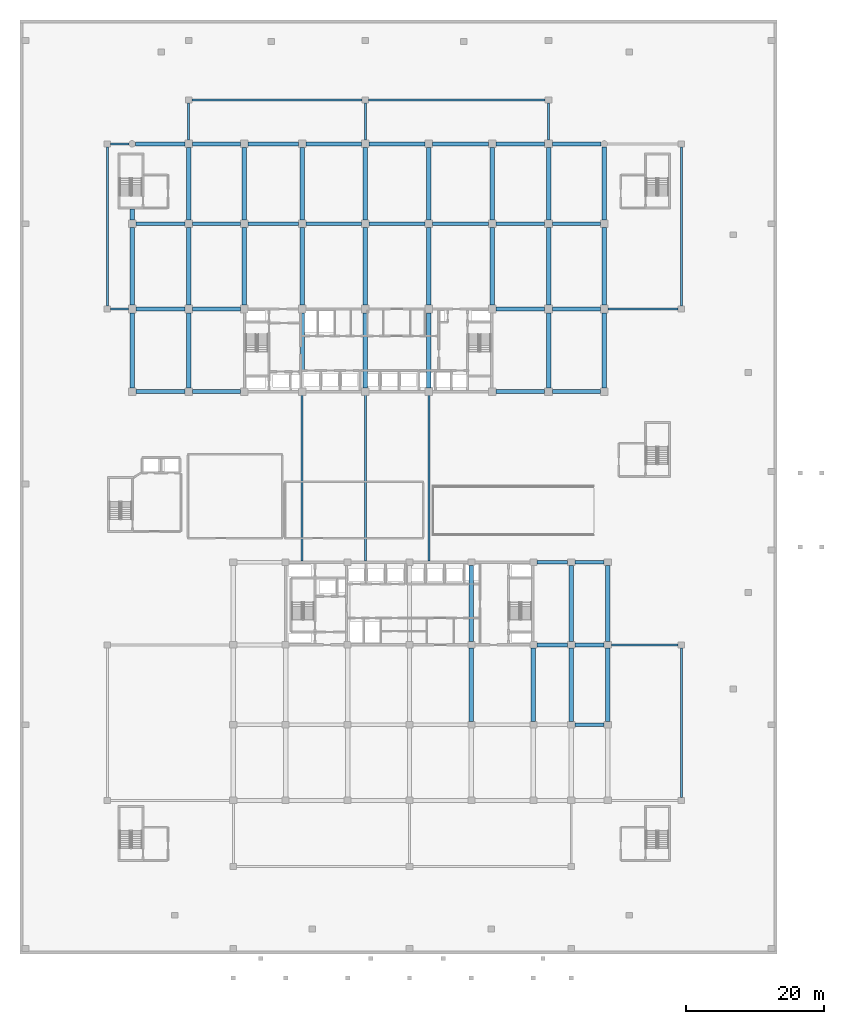
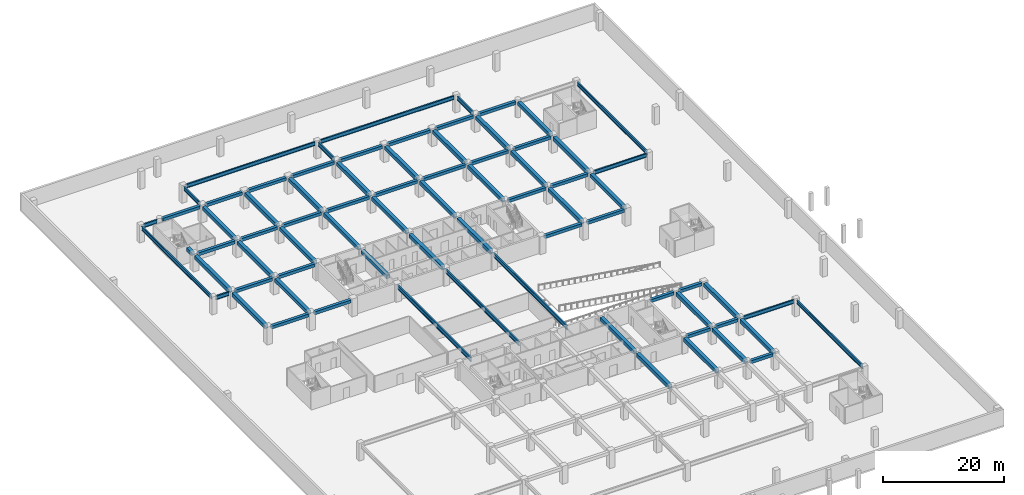
# One storey, part 2 of 22: 76 beams.
"""IFC4 building model written with IfcOpenShell, lengths in metres."""

from ifc_helpers import new_model, si_unit, direction, frame, origin, origin_2d, place, context, subcontext, project, spatial, rectangle, i_section, extrude, material, material_profile, profile_set, type_object, element, save


model = new_model("IFC4")

# Units and contexts
model_context = context("Model", 3, precision=1e-05, world=origin(), true_north=direction((0.0, 1.0)))
body_context = subcontext(model_context, "Body", "Model", "MODEL_VIEW")
ifc_project = project(units=[si_unit("LENGTHUNIT", "METRE"), si_unit("AREAUNIT", "SQUARE_METRE"), si_unit("VOLUMEUNIT", "CUBIC_METRE"), si_unit("PLANEANGLEUNIT", "RADIAN"), si_unit("MASSUNIT", "GRAM", prefix="KILO")], contexts=[model_context])

# Site, building, storey
site_placement = place(None, origin())
site = spatial("IfcSite", under=ifc_project, at=site_placement, CompositionType="ELEMENT")
building_placement = place(site_placement, origin())
building = spatial("IfcBuilding", under=site, at=building_placement, Name="Korimba Cascade Residences", CompositionType="ELEMENT")
storey_placement = place(building_placement, frame((0.0, 0.0, -7.199951171875)))
storey = spatial("IfcBuildingStorey", under=building, at=storey_placement, Name="B02", CompositionType="ELEMENT", Elevation=-7.199951171875)

# Beams
ifc_material_1 = material(Name="Concrete C50/60", Category="concrete")
ifc_material_profile_1 = material_profile(ifc_material_1, rectangle(XDim=0.550048828125, YDim=0.60009765625, at=origin_2d()), Name="Concrete C50/60")
ifc_profile_set_1 = profile_set([ifc_material_profile_1], Name="Concrete C50/60")
beam_type_1 = type_object("IfcBeamType", Name="BM-RC-B600", PredefinedType="BEAM", material=ifc_profile_set_1)
beam_1_placement = place(storey_placement, frame((60.35009765625, 55.199951171875, 3.0), z_axis=(1.0, 0.0, 0.0), x_axis=(0.0, 1.0, 0.0)))
element("IfcBeam", 1, at=beam_1_placement, inside=storey, type_object=beam_type_1, Name="B02 T1 E-W Girder Y1 Bay 1", PredefinedType="BEAM", context=body_context, shape_type="SweptSolid", body=[
    extrude(rectangle(XDim=0.550048828125, YDim=0.60009765625, at=origin_2d()), origin(), (0.0, 0.0, 1.0), 7.099853515625),
])
beam_2_placement = place(storey_placement, frame((68.550048828125, 55.199951171875, 3.0), z_axis=(1.0, 0.0, 0.0), x_axis=(0.0, 1.0, 0.0)))
element("IfcBeam", 2, at=beam_2_placement, inside=storey, type_object=beam_type_1, Name="B02 T1 E-W Girder Y1 Bay 2", PredefinedType="BEAM", context=body_context, shape_type="SweptSolid", body=[
    extrude(rectangle(XDim=0.550048828125, YDim=0.60009765625, at=origin_2d()), origin(), (0.0, 0.0, 1.0), 7.0),
])
beam_3_placement = place(storey_placement, frame((112.64990234375, 55.199951171875, 3.0), z_axis=(1.0, 0.0, 0.0), x_axis=(0.0, 1.0, 0.0)))
element("IfcBeam", 3, at=beam_3_placement, inside=storey, type_object=beam_type_1, Name="B02 T1 E-W Girder Y1 Bay 7", PredefinedType="BEAM", context=body_context, shape_type="SweptSolid", body=[
    extrude(rectangle(XDim=0.550048828125, YDim=0.60009765625, at=origin_2d()), origin(), (0.0, 0.0, 1.0), 7.10009765625),
])
beam_4_placement = place(storey_placement, frame((120.85009765625, 55.199951171875, 3.0), z_axis=(1.0, 0.0, 0.0), x_axis=(0.0, 1.0, 0.0)))
element("IfcBeam", 4, at=beam_4_placement, inside=storey, type_object=beam_type_1, Name="B02 T1 E-W Girder Y1 Bay 8", PredefinedType="BEAM", context=body_context, shape_type="SweptSolid", body=[
    extrude(rectangle(XDim=0.550048828125, YDim=0.60009765625, at=origin_2d()), origin(), (0.0, 0.0, 1.0), 7.0),
])
beam_5_placement = place(storey_placement, frame((60.35009765625, 67.199951171875, 3.0), z_axis=(1.0, 0.0, 0.0), x_axis=(0.0, 1.0, 0.0)))
element("IfcBeam", 5, at=beam_5_placement, inside=storey, type_object=beam_type_1, Name="B02 T1 E-W Girder Y2 Bay 1", PredefinedType="BEAM", context=body_context, shape_type="SweptSolid", body=[
    extrude(rectangle(XDim=0.550048828125, YDim=0.60009765625, at=origin_2d()), origin(), (0.0, 0.0, 1.0), 7.099853515625),
])
beam_6_placement = place(storey_placement, frame((68.550048828125, 67.199951171875, 3.0), z_axis=(1.0, 0.0, 0.0), x_axis=(0.0, 1.0, 0.0)))
element("IfcBeam", 6, at=beam_6_placement, inside=storey, type_object=beam_type_1, Name="B02 T1 E-W Girder Y2 Bay 2", PredefinedType="BEAM", context=body_context, shape_type="SweptSolid", body=[
    extrude(rectangle(XDim=0.550048828125, YDim=0.60009765625, at=origin_2d()), origin(), (0.0, 0.0, 1.0), 7.0),
])
beam_7_placement = place(storey_placement, frame((112.64990234375, 67.199951171875, 3.0), z_axis=(1.0, 0.0, 0.0), x_axis=(0.0, 1.0, 0.0)))
element("IfcBeam", 7, at=beam_7_placement, inside=storey, type_object=beam_type_1, Name="B02 T1 E-W Girder Y2 Bay 7", PredefinedType="BEAM", context=body_context, shape_type="SweptSolid", body=[
    extrude(rectangle(XDim=0.550048828125, YDim=0.60009765625, at=origin_2d()), origin(), (0.0, 0.0, 1.0), 7.10009765625),
])
beam_8_placement = place(storey_placement, frame((120.85009765625, 67.199951171875, 3.0), z_axis=(1.0, 0.0, 0.0), x_axis=(0.0, 1.0, 0.0)))
element("IfcBeam", 8, at=beam_8_placement, inside=storey, type_object=beam_type_1, Name="B02 T1 E-W Girder Y2 Bay 8", PredefinedType="BEAM", context=body_context, shape_type="SweptSolid", body=[
    extrude(rectangle(XDim=0.550048828125, YDim=0.60009765625, at=origin_2d()), origin(), (0.0, 0.0, 1.0), 7.0),
])
beam_9_placement = place(storey_placement, frame((60.35009765625, 79.60009765625, 3.0), z_axis=(1.0, 0.0, 0.0), x_axis=(0.0, 1.0, 0.0)))
element("IfcBeam", 9, at=beam_9_placement, inside=storey, type_object=beam_type_1, Name="B02 T1 E-W Girder Y3 Bay 1", PredefinedType="BEAM", context=body_context, shape_type="SweptSolid", body=[
    extrude(rectangle(XDim=0.550048828125, YDim=0.60009765625, at=origin_2d()), origin(), (0.0, 0.0, 1.0), 7.099853515625),
])
beam_10_placement = place(storey_placement, frame((68.550048828125, 79.60009765625, 3.0), z_axis=(1.0, 0.0, 0.0), x_axis=(0.0, 1.0, 0.0)))
element("IfcBeam", 10, at=beam_10_placement, inside=storey, type_object=beam_type_1, Name="B02 T1 E-W Girder Y3 Bay 2", PredefinedType="BEAM", context=body_context, shape_type="SweptSolid", body=[
    extrude(rectangle(XDim=0.550048828125, YDim=0.60009765625, at=origin_2d()), origin(), (0.0, 0.0, 1.0), 7.0),
])
beam_11_placement = place(storey_placement, frame((76.64990234375, 79.60009765625, 3.0), z_axis=(1.0, 0.0, 0.0), x_axis=(0.0, 1.0, 0.0)))
element("IfcBeam", 11, at=beam_11_placement, inside=storey, type_object=beam_type_1, Name="B02 T1 E-W Girder Y3 Bay 3", PredefinedType="BEAM", context=body_context, shape_type="SweptSolid", body=[
    extrude(rectangle(XDim=0.550048828125, YDim=0.60009765625, at=origin_2d()), origin(), (0.0, 0.0, 1.0), 7.300048828125),
])
beam_12_placement = place(storey_placement, frame((85.050048828125, 79.60009765625, 3.0), z_axis=(1.0, 0.0, 0.0), x_axis=(0.0, 1.0, 0.0)))
element("IfcBeam", 12, at=beam_12_placement, inside=storey, type_object=beam_type_1, Name="B02 T1 E-W Girder Y3 Bay 4", PredefinedType="BEAM", context=body_context, shape_type="SweptSolid", body=[
    extrude(rectangle(XDim=0.550048828125, YDim=0.60009765625, at=origin_2d()), origin(), (0.0, 0.0, 1.0), 8.099853515625),
])
for number, where, z_axis, x_axis, name in (
    (13, (94.25, 79.60009765625, 3.0), (1.0, 0.0, 0.0), (0.0, 1.0, 0.0), "B02 T1 E-W Girder Y3 Bay 5"),
    (14, (103.449951171875, 79.60009765625, 3.0), (1.0, 0.0, 0.0), (0.0, 1.0, 0.0), "B02 T1 E-W Girder Y3 Bay 6"),
):
    element("IfcBeam", number, at=place(storey_placement, frame(where, z_axis=z_axis, x_axis=x_axis)), inside=storey, type_object=beam_type_1, Name=name, PredefinedType="BEAM", context=body_context, shape_type="SweptSolid", body=[
        extrude(rectangle(XDim=0.550048828125, YDim=0.60009765625, at=origin_2d()), origin(), (0.0, 0.0, 1.0), 8.10009765625),
    ])
beam_13_placement = place(storey_placement, frame((112.64990234375, 79.60009765625, 3.0), z_axis=(1.0, 0.0, 0.0), x_axis=(0.0, 1.0, 0.0)))
element("IfcBeam", 15, at=beam_13_placement, inside=storey, type_object=beam_type_1, Name="B02 T1 E-W Girder Y3 Bay 7", PredefinedType="BEAM", context=body_context, shape_type="SweptSolid", body=[
    extrude(rectangle(XDim=0.550048828125, YDim=0.60009765625, at=origin_2d()), origin(), (0.0, 0.0, 1.0), 7.10009765625),
])
beam_14_placement = place(storey_placement, frame((120.85009765625, 79.60009765625, 3.0), z_axis=(1.0, 0.0, 0.0), x_axis=(0.0, 1.0, 0.0)))
element("IfcBeam", 16, at=beam_14_placement, inside=storey, type_object=beam_type_1, Name="B02 T1 E-W Girder Y3 Bay 8", PredefinedType="BEAM", context=body_context, shape_type="SweptSolid", body=[
    extrude(rectangle(XDim=0.550048828125, YDim=0.60009765625, at=origin_2d()), origin(), (0.0, 0.0, 1.0), 7.0),
])
beam_15_placement = place(storey_placement, frame((60.27490234375, 91.199951171875, 3.0), z_axis=(1.0, 0.0, 0.0), x_axis=(0.0, 1.0, 0.0)))
element("IfcBeam", 17, at=beam_15_placement, inside=storey, type_object=beam_type_1, Name="B02 T1 E-W Girder Y4 Bay 1", PredefinedType="BEAM", context=body_context, shape_type="SweptSolid", body=[
    extrude(rectangle(XDim=0.550048828125, YDim=0.60009765625, at=origin_2d()), origin(), (0.0, 0.0, 1.0), 7.175048828125),
])
beam_16_placement = place(storey_placement, frame((68.550048828125, 91.199951171875, 3.0), z_axis=(1.0, 0.0, 0.0), x_axis=(0.0, 1.0, 0.0)))
element("IfcBeam", 18, at=beam_16_placement, inside=storey, type_object=beam_type_1, Name="B02 T1 E-W Girder Y4 Bay 2", PredefinedType="BEAM", context=body_context, shape_type="SweptSolid", body=[
    extrude(rectangle(XDim=0.550048828125, YDim=0.60009765625, at=origin_2d()), origin(), (0.0, 0.0, 1.0), 7.0),
])
beam_17_placement = place(storey_placement, frame((76.64990234375, 91.199951171875, 3.0), z_axis=(1.0, 0.0, 0.0), x_axis=(0.0, 1.0, 0.0)))
element("IfcBeam", 19, at=beam_17_placement, inside=storey, type_object=beam_type_1, Name="B02 T1 E-W Girder Y4 Bay 3", PredefinedType="BEAM", context=body_context, shape_type="SweptSolid", body=[
    extrude(rectangle(XDim=0.550048828125, YDim=0.60009765625, at=origin_2d()), origin(), (0.0, 0.0, 1.0), 7.300048828125),
])
beam_18_placement = place(storey_placement, frame((85.050048828125, 91.199951171875, 3.0), z_axis=(1.0, 0.0, 0.0), x_axis=(0.0, 1.0, 0.0)))
element("IfcBeam", 20, at=beam_18_placement, inside=storey, type_object=beam_type_1, Name="B02 T1 E-W Girder Y4 Bay 4", PredefinedType="BEAM", context=body_context, shape_type="SweptSolid", body=[
    extrude(rectangle(XDim=0.550048828125, YDim=0.60009765625, at=origin_2d()), origin(), (0.0, 0.0, 1.0), 8.099853515625),
])
for number, where, z_axis, x_axis, name in (
    (21, (94.25, 91.199951171875, 3.0), (1.0, 0.0, 0.0), (0.0, 1.0, 0.0), "B02 T1 E-W Girder Y4 Bay 5"),
    (22, (103.449951171875, 91.199951171875, 3.0), (1.0, 0.0, 0.0), (0.0, 1.0, 0.0), "B02 T1 E-W Girder Y4 Bay 6"),
):
    element("IfcBeam", number, at=place(storey_placement, frame(where, z_axis=z_axis, x_axis=x_axis)), inside=storey, type_object=beam_type_1, Name=name, PredefinedType="BEAM", context=body_context, shape_type="SweptSolid", body=[
        extrude(rectangle(XDim=0.550048828125, YDim=0.60009765625, at=origin_2d()), origin(), (0.0, 0.0, 1.0), 8.10009765625),
    ])
beam_19_placement = place(storey_placement, frame((112.64990234375, 91.199951171875, 3.0), z_axis=(1.0, 0.0, 0.0), x_axis=(0.0, 1.0, 0.0)))
element("IfcBeam", 23, at=beam_19_placement, inside=storey, type_object=beam_type_1, Name="B02 T1 E-W Girder Y4 Bay 7", PredefinedType="BEAM", context=body_context, shape_type="SweptSolid", body=[
    extrude(rectangle(XDim=0.550048828125, YDim=0.60009765625, at=origin_2d()), origin(), (0.0, 0.0, 1.0), 7.10009765625),
])
beam_20_placement = place(storey_placement, frame((120.85009765625, 91.199951171875, 3.0), z_axis=(1.0, 0.0, 0.0), x_axis=(0.0, 1.0, 0.0)))
element("IfcBeam", 24, at=beam_20_placement, inside=storey, type_object=beam_type_1, Name="B02 T1 E-W Girder Y4 Bay 8", PredefinedType="BEAM", context=body_context, shape_type="SweptSolid", body=[
    extrude(rectangle(XDim=0.550048828125, YDim=0.60009765625, at=origin_2d()), origin(), (0.0, 0.0, 1.0), 7.074951171875),
])
beam_21_placement = place(storey_placement, frame((124.125, 6.800048828125, 3.0), z_axis=(1.0, 0.0, 0.0), x_axis=(0.0, 1.0, 0.0)))
element("IfcBeam", 25, at=beam_21_placement, inside=storey, type_object=beam_type_1, Name="B02 T2 E-W Girder Y2 Bay 7", PredefinedType="BEAM", context=body_context, shape_type="SweptSolid", body=[
    extrude(rectangle(XDim=0.550048828125, YDim=0.60009765625, at=origin_2d()), origin(), (0.0, 0.0, 1.0), 4.25),
])
beam_22_placement = place(storey_placement, frame((118.625, 18.39990234375, 3.0), z_axis=(1.0, 0.0, 0.0), x_axis=(0.0, 1.0, 0.0)))
element("IfcBeam", 26, at=beam_22_placement, inside=storey, type_object=beam_type_1, Name="B02 T2 E-W Girder Y3 Bay 6", PredefinedType="BEAM", context=body_context, shape_type="SweptSolid", body=[
    extrude(rectangle(XDim=0.550048828125, YDim=0.60009765625, at=origin_2d()), origin(), (0.0, 0.0, 1.0), 4.449951171875),
])
beam_23_placement = place(storey_placement, frame((124.125, 18.39990234375, 3.0), z_axis=(1.0, 0.0, 0.0), x_axis=(0.0, 1.0, 0.0)))
element("IfcBeam", 27, at=beam_23_placement, inside=storey, type_object=beam_type_1, Name="B02 T2 E-W Girder Y3 Bay 7", PredefinedType="BEAM", context=body_context, shape_type="SweptSolid", body=[
    extrude(rectangle(XDim=0.550048828125, YDim=0.60009765625, at=origin_2d()), origin(), (0.0, 0.0, 1.0), 4.25),
])
beam_24_placement = place(storey_placement, frame((118.625, 30.39990234375, 3.0), z_axis=(1.0, 0.0, 0.0), x_axis=(0.0, 1.0, 0.0)))
element("IfcBeam", 28, at=beam_24_placement, inside=storey, type_object=beam_type_1, Name="B02 T2 E-W Girder Y4 Bay 6", PredefinedType="BEAM", context=body_context, shape_type="SweptSolid", body=[
    extrude(rectangle(XDim=0.550048828125, YDim=0.60009765625, at=origin_2d()), origin(), (0.0, 0.0, 1.0), 4.449951171875),
])
beam_25_placement = place(storey_placement, frame((124.125, 30.39990234375, 3.0), z_axis=(1.0, 0.0, 0.0), x_axis=(0.0, 1.0, 0.0)))
element("IfcBeam", 29, at=beam_25_placement, inside=storey, type_object=beam_type_1, Name="B02 T2 E-W Girder Y4 Bay 7", PredefinedType="BEAM", context=body_context, shape_type="SweptSolid", body=[
    extrude(rectangle(XDim=0.550048828125, YDim=0.60009765625, at=origin_2d()), origin(), (0.0, 0.0, 1.0), 4.25),
])
ifc_material_profile_2 = material_profile(ifc_material_1, rectangle(XDim=0.64990234375, YDim=0.75, at=origin_2d()), Name="Concrete C50/60")
ifc_profile_set_2 = profile_set([ifc_material_profile_2], Name="Concrete C50/60")
beam_type_2 = type_object("IfcBeamType", Name="BM-RC-G750", PredefinedType="BEAM", material=ifc_profile_set_2)
beam_26_placement = place(storey_placement, frame((59.800048828125, 55.75, 2.925048828125), z_axis=(0.0, 1.0, 0.0), x_axis=(-1.0, 0.0, 0.0)))
element("IfcBeam", 30, at=beam_26_placement, inside=storey, type_object=beam_type_2, Name="B02 T1 N-S Girder X1 Seg 1", PredefinedType="BEAM", context=body_context, shape_type="SweptSolid", body=[
    extrude(rectangle(XDim=0.64990234375, YDim=0.75, at=origin_2d()), origin(), (0.0, 0.0, 1.0), 10.89990234375),
])
beam_27_placement = place(storey_placement, frame((59.800048828125, 67.75, 2.925048828125), z_axis=(0.0, 1.0, 0.0), x_axis=(-1.0, 0.0, 0.0)))
element("IfcBeam", 31, at=beam_27_placement, inside=storey, type_object=beam_type_2, Name="B02 T1 N-S Girder X1 Seg 2", PredefinedType="BEAM", context=body_context, shape_type="SweptSolid", body=[
    extrude(rectangle(XDim=0.64990234375, YDim=0.75, at=origin_2d()), origin(), (0.0, 0.0, 1.0), 11.300048828125),
])
beam_28_placement = place(storey_placement, frame((59.800048828125, 80.14990234375, 2.925048828125), z_axis=(0.0, 1.0, 0.0), x_axis=(-1.0, 0.0, 0.0)))
element("IfcBeam", 32, at=beam_28_placement, inside=storey, type_object=beam_type_2, Name="B02 T1 N-S Girder X1 Seg 3", PredefinedType="BEAM", context=body_context, shape_type="SweptSolid", body=[
    extrude(rectangle(XDim=0.64990234375, YDim=0.75, at=origin_2d()), origin(), (0.0, 0.0, 1.0), 1.550048828125),
])
beam_29_placement = place(storey_placement, frame((68.0, 55.75, 2.925048828125), z_axis=(0.0, 1.0, 0.0), x_axis=(-1.0, 0.0, 0.0)))
element("IfcBeam", 33, at=beam_29_placement, inside=storey, type_object=beam_type_2, Name="B02 T1 N-S Girder X2 Seg 1", PredefinedType="BEAM", context=body_context, shape_type="SweptSolid", body=[
    extrude(rectangle(XDim=0.64990234375, YDim=0.75, at=origin_2d()), origin(), (0.0, 0.0, 1.0), 10.89990234375),
])
beam_30_placement = place(storey_placement, frame((68.0, 67.75, 2.925048828125), z_axis=(0.0, 1.0, 0.0), x_axis=(-1.0, 0.0, 0.0)))
element("IfcBeam", 34, at=beam_30_placement, inside=storey, type_object=beam_type_2, Name="B02 T1 N-S Girder X2 Seg 2", PredefinedType="BEAM", context=body_context, shape_type="SweptSolid", body=[
    extrude(rectangle(XDim=0.64990234375, YDim=0.75, at=origin_2d()), origin(), (0.0, 0.0, 1.0), 11.300048828125),
])
beam_31_placement = place(storey_placement, frame((68.0, 80.14990234375, 2.925048828125), z_axis=(0.0, 1.0, 0.0), x_axis=(-1.0, 0.0, 0.0)))
element("IfcBeam", 35, at=beam_31_placement, inside=storey, type_object=beam_type_2, Name="B02 T1 N-S Girder X2 Seg 3", PredefinedType="BEAM", context=body_context, shape_type="SweptSolid", body=[
    extrude(rectangle(XDim=0.64990234375, YDim=0.75, at=origin_2d()), origin(), (0.0, 0.0, 1.0), 10.5),
])
beam_32_placement = place(storey_placement, frame((76.10009765625, 67.75, 2.925048828125), z_axis=(0.0, 1.0, 0.0), x_axis=(-1.0, 0.0, 0.0)))
element("IfcBeam", 36, at=beam_32_placement, inside=storey, type_object=beam_type_2, Name="B02 T1 N-S Girder X3 Seg 2", PredefinedType="BEAM", context=body_context, shape_type="SweptSolid", body=[
    extrude(rectangle(XDim=0.64990234375, YDim=0.75, at=origin_2d()), origin(), (0.0, 0.0, 1.0), 11.300048828125),
])
beam_33_placement = place(storey_placement, frame((76.10009765625, 80.14990234375, 2.925048828125), z_axis=(0.0, 1.0, 0.0), x_axis=(-1.0, 0.0, 0.0)))
element("IfcBeam", 37, at=beam_33_placement, inside=storey, type_object=beam_type_2, Name="B02 T1 N-S Girder X3 Seg 3", PredefinedType="BEAM", context=body_context, shape_type="SweptSolid", body=[
    extrude(rectangle(XDim=0.64990234375, YDim=0.75, at=origin_2d()), origin(), (0.0, 0.0, 1.0), 10.5),
])
beam_34_placement = place(storey_placement, frame((84.5, 58.159912109375, 2.925048828125), z_axis=(0.0, 1.0, 0.0), x_axis=(-1.0, 0.0, 0.0)))
element("IfcBeam", 38, at=beam_34_placement, inside=storey, type_object=beam_type_2, Name="B02 T1 N-S Girder X4 Seg 1", PredefinedType="BEAM", context=body_context, shape_type="SweptSolid", body=[
    extrude(rectangle(XDim=0.64990234375, YDim=0.75, at=origin_2d()), origin(), (0.0, 0.0, 1.0), 8.489990234375),
])
beam_35_placement = place(storey_placement, frame((84.5, 67.75, 2.925048828125), z_axis=(0.0, 1.0, 0.0), x_axis=(-1.0, 0.0, 0.0)))
element("IfcBeam", 39, at=beam_35_placement, inside=storey, type_object=beam_type_2, Name="B02 T1 N-S Girder X4 Seg 2", PredefinedType="BEAM", context=body_context, shape_type="SweptSolid", body=[
    extrude(rectangle(XDim=0.64990234375, YDim=0.75, at=origin_2d()), origin(), (0.0, 0.0, 1.0), 11.300048828125),
])
beam_36_placement = place(storey_placement, frame((84.5, 80.14990234375, 2.925048828125), z_axis=(0.0, 1.0, 0.0), x_axis=(-1.0, 0.0, 0.0)))
element("IfcBeam", 40, at=beam_36_placement, inside=storey, type_object=beam_type_2, Name="B02 T1 N-S Girder X4 Seg 3", PredefinedType="BEAM", context=body_context, shape_type="SweptSolid", body=[
    extrude(rectangle(XDim=0.64990234375, YDim=0.75, at=origin_2d()), origin(), (0.0, 0.0, 1.0), 10.5),
])
beam_37_placement = place(storey_placement, frame((93.699951171875, 55.75, 2.925048828125), z_axis=(0.0, 1.0, 0.0), x_axis=(-1.0, 0.0, 0.0)))
element("IfcBeam", 41, at=beam_37_placement, inside=storey, type_object=beam_type_2, Name="B02 T1 N-S Girder X5 Seg 1", PredefinedType="BEAM", context=body_context, shape_type="SweptSolid", body=[
    extrude(rectangle(XDim=0.64990234375, YDim=0.75, at=origin_2d()), origin(), (0.0, 0.0, 1.0), 10.89990234375),
])
beam_38_placement = place(storey_placement, frame((93.699951171875, 67.75, 2.925048828125), z_axis=(0.0, 1.0, 0.0), x_axis=(-1.0, 0.0, 0.0)))
element("IfcBeam", 42, at=beam_38_placement, inside=storey, type_object=beam_type_2, Name="B02 T1 N-S Girder X5 Seg 2", PredefinedType="BEAM", context=body_context, shape_type="SweptSolid", body=[
    extrude(rectangle(XDim=0.64990234375, YDim=0.75, at=origin_2d()), origin(), (0.0, 0.0, 1.0), 11.300048828125),
])
beam_39_placement = place(storey_placement, frame((93.699951171875, 80.14990234375, 2.925048828125), z_axis=(0.0, 1.0, 0.0), x_axis=(-1.0, 0.0, 0.0)))
element("IfcBeam", 43, at=beam_39_placement, inside=storey, type_object=beam_type_2, Name="B02 T1 N-S Girder X5 Seg 3", PredefinedType="BEAM", context=body_context, shape_type="SweptSolid", body=[
    extrude(rectangle(XDim=0.64990234375, YDim=0.75, at=origin_2d()), origin(), (0.0, 0.0, 1.0), 10.5),
])
beam_40_placement = place(storey_placement, frame((102.89990234375, 55.75, 2.925048828125), z_axis=(0.0, 1.0, 0.0), x_axis=(-1.0, 0.0, 0.0)))
element("IfcBeam", 44, at=beam_40_placement, inside=storey, type_object=beam_type_2, Name="B02 T1 N-S Girder X6 Seg 1", PredefinedType="BEAM", context=body_context, shape_type="SweptSolid", body=[
    extrude(rectangle(XDim=0.64990234375, YDim=0.75, at=origin_2d()), origin(), (0.0, 0.0, 1.0), 10.89990234375),
])
beam_41_placement = place(storey_placement, frame((102.89990234375, 67.75, 2.925048828125), z_axis=(0.0, 1.0, 0.0), x_axis=(-1.0, 0.0, 0.0)))
element("IfcBeam", 45, at=beam_41_placement, inside=storey, type_object=beam_type_2, Name="B02 T1 N-S Girder X6 Seg 2", PredefinedType="BEAM", context=body_context, shape_type="SweptSolid", body=[
    extrude(rectangle(XDim=0.64990234375, YDim=0.75, at=origin_2d()), origin(), (0.0, 0.0, 1.0), 11.300048828125),
])
beam_42_placement = place(storey_placement, frame((102.89990234375, 80.14990234375, 2.925048828125), z_axis=(0.0, 1.0, 0.0), x_axis=(-1.0, 0.0, 0.0)))
element("IfcBeam", 46, at=beam_42_placement, inside=storey, type_object=beam_type_2, Name="B02 T1 N-S Girder X6 Seg 3", PredefinedType="BEAM", context=body_context, shape_type="SweptSolid", body=[
    extrude(rectangle(XDim=0.64990234375, YDim=0.75, at=origin_2d()), origin(), (0.0, 0.0, 1.0), 10.5),
])
beam_43_placement = place(storey_placement, frame((112.10009765625, 67.75, 2.925048828125), z_axis=(0.0, 1.0, 0.0), x_axis=(-1.0, 0.0, 0.0)))
element("IfcBeam", 47, at=beam_43_placement, inside=storey, type_object=beam_type_2, Name="B02 T1 N-S Girder X7 Seg 2", PredefinedType="BEAM", context=body_context, shape_type="SweptSolid", body=[
    extrude(rectangle(XDim=0.64990234375, YDim=0.75, at=origin_2d()), origin(), (0.0, 0.0, 1.0), 11.300048828125),
])
beam_44_placement = place(storey_placement, frame((112.10009765625, 80.14990234375, 2.925048828125), z_axis=(0.0, 1.0, 0.0), x_axis=(-1.0, 0.0, 0.0)))
element("IfcBeam", 48, at=beam_44_placement, inside=storey, type_object=beam_type_2, Name="B02 T1 N-S Girder X7 Seg 3", PredefinedType="BEAM", context=body_context, shape_type="SweptSolid", body=[
    extrude(rectangle(XDim=0.64990234375, YDim=0.75, at=origin_2d()), origin(), (0.0, 0.0, 1.0), 10.5),
])
beam_45_placement = place(storey_placement, frame((120.300048828125, 55.75, 2.925048828125), z_axis=(0.0, 1.0, 0.0), x_axis=(-1.0, 0.0, 0.0)))
element("IfcBeam", 49, at=beam_45_placement, inside=storey, type_object=beam_type_2, Name="B02 T1 N-S Girder X8 Seg 1", PredefinedType="BEAM", context=body_context, shape_type="SweptSolid", body=[
    extrude(rectangle(XDim=0.64990234375, YDim=0.75, at=origin_2d()), origin(), (0.0, 0.0, 1.0), 10.89990234375),
])
beam_46_placement = place(storey_placement, frame((120.300048828125, 67.75, 2.925048828125), z_axis=(0.0, 1.0, 0.0), x_axis=(-1.0, 0.0, 0.0)))
element("IfcBeam", 50, at=beam_46_placement, inside=storey, type_object=beam_type_2, Name="B02 T1 N-S Girder X8 Seg 2", PredefinedType="BEAM", context=body_context, shape_type="SweptSolid", body=[
    extrude(rectangle(XDim=0.64990234375, YDim=0.75, at=origin_2d()), origin(), (0.0, 0.0, 1.0), 11.300048828125),
])
beam_47_placement = place(storey_placement, frame((120.300048828125, 80.14990234375, 2.925048828125), z_axis=(0.0, 1.0, 0.0), x_axis=(-1.0, 0.0, 0.0)))
element("IfcBeam", 51, at=beam_47_placement, inside=storey, type_object=beam_type_2, Name="B02 T1 N-S Girder X8 Seg 3", PredefinedType="BEAM", context=body_context, shape_type="SweptSolid", body=[
    extrude(rectangle(XDim=0.64990234375, YDim=0.75, at=origin_2d()), origin(), (0.0, 0.0, 1.0), 10.5),
])
beam_48_placement = place(storey_placement, frame((128.39990234375, 55.75, 2.925048828125), z_axis=(0.0, 1.0, 0.0), x_axis=(-1.0, 0.0, 0.0)))
element("IfcBeam", 52, at=beam_48_placement, inside=storey, type_object=beam_type_2, Name="B02 T1 N-S Girder X9 Seg 1", PredefinedType="BEAM", context=body_context, shape_type="SweptSolid", body=[
    extrude(rectangle(XDim=0.64990234375, YDim=0.75, at=origin_2d()), origin(), (0.0, 0.0, 1.0), 10.89990234375),
])
beam_49_placement = place(storey_placement, frame((128.39990234375, 67.75, 2.925048828125), z_axis=(0.0, 1.0, 0.0), x_axis=(-1.0, 0.0, 0.0)))
element("IfcBeam", 53, at=beam_49_placement, inside=storey, type_object=beam_type_2, Name="B02 T1 N-S Girder X9 Seg 2", PredefinedType="BEAM", context=body_context, shape_type="SweptSolid", body=[
    extrude(rectangle(XDim=0.64990234375, YDim=0.75, at=origin_2d()), origin(), (0.0, 0.0, 1.0), 11.300048828125),
])
beam_50_placement = place(storey_placement, frame((128.39990234375, 80.14990234375, 2.925048828125), z_axis=(0.0, 1.0, 0.0), x_axis=(-1.0, 0.0, 0.0)))
element("IfcBeam", 54, at=beam_50_placement, inside=storey, type_object=beam_type_2, Name="B02 T1 N-S Girder X9 Seg 3", PredefinedType="BEAM", context=body_context, shape_type="SweptSolid", body=[
    extrude(rectangle(XDim=0.64990234375, YDim=0.75, at=origin_2d()), origin(), (0.0, 0.0, 1.0), 10.5751953125),
])
beam_51_placement = place(storey_placement, frame((109.10009765625, 7.27490234375, 2.925048828125), z_axis=(0.0, 1.0, 0.0), x_axis=(-1.0, 0.0, 0.0)))
element("IfcBeam", 55, at=beam_51_placement, inside=storey, type_object=beam_type_2, Name="B02 T2 N-S Girder X5 Seg 2", PredefinedType="BEAM", context=body_context, shape_type="SweptSolid", body=[
    extrude(rectangle(XDim=0.64990234375, YDim=0.75, at=origin_2d()), origin(), (0.0, 0.0, 1.0), 10.650146484375),
])
beam_52_placement = place(storey_placement, frame((109.10009765625, 18.875, 2.925048828125), z_axis=(0.0, 1.0, 0.0), x_axis=(-1.0, 0.0, 0.0)))
element("IfcBeam", 56, at=beam_52_placement, inside=storey, type_object=beam_type_2, Name="B02 T2 N-S Girder X5 Seg 3", PredefinedType="BEAM", context=body_context, shape_type="SweptSolid", body=[
    extrude(rectangle(XDim=0.64990234375, YDim=0.75, at=origin_2d()), origin(), (0.0, 0.0, 1.0), 11.050048828125),
])
for number, where, z_axis, x_axis, name in (
    (57, (118.10009765625, 7.27490234375, 2.925048828125), (0.0, 1.0, 0.0), (-1.0, 0.0, 0.0), "B02 T2 N-S Girder X6 Seg 2"),
    (58, (123.60009765625, 7.27490234375, 2.925048828125), (0.0, 1.0, 0.0), (-1.0, 0.0, 0.0), "B02 T2 N-S Girder X7 Seg 2"),
):
    element("IfcBeam", number, at=place(storey_placement, frame(where, z_axis=z_axis, x_axis=x_axis)), inside=storey, type_object=beam_type_2, Name=name, PredefinedType="BEAM", context=body_context, shape_type="SweptSolid", body=[
        extrude(rectangle(XDim=0.64990234375, YDim=0.75, at=origin_2d()), origin(), (0.0, 0.0, 1.0), 10.650146484375),
    ])
beam_53_placement = place(storey_placement, frame((123.60009765625, 18.875, 2.925048828125), z_axis=(0.0, 1.0, 0.0), x_axis=(-1.0, 0.0, 0.0)))
element("IfcBeam", 59, at=beam_53_placement, inside=storey, type_object=beam_type_2, Name="B02 T2 N-S Girder X7 Seg 3", PredefinedType="BEAM", context=body_context, shape_type="SweptSolid", body=[
    extrude(rectangle(XDim=0.64990234375, YDim=0.75, at=origin_2d()), origin(), (0.0, 0.0, 1.0), 11.050048828125),
])
beam_54_placement = place(storey_placement, frame((128.89990234375, 7.27490234375, 2.925048828125), z_axis=(0.0, 1.0, 0.0), x_axis=(-1.0, 0.0, 0.0)))
element("IfcBeam", 60, at=beam_54_placement, inside=storey, type_object=beam_type_2, Name="B02 T2 N-S Girder X8 Seg 2", PredefinedType="BEAM", context=body_context, shape_type="SweptSolid", body=[
    extrude(rectangle(XDim=0.64990234375, YDim=0.75, at=origin_2d()), origin(), (0.0, 0.0, 1.0), 10.650146484375),
])
beam_55_placement = place(storey_placement, frame((128.89990234375, 18.875, 2.925048828125), z_axis=(0.0, 1.0, 0.0), x_axis=(-1.0, 0.0, 0.0)))
element("IfcBeam", 61, at=beam_55_placement, inside=storey, type_object=beam_type_2, Name="B02 T2 N-S Girder X8 Seg 3", PredefinedType="BEAM", context=body_context, shape_type="SweptSolid", body=[
    extrude(rectangle(XDim=0.64990234375, YDim=0.75, at=origin_2d()), origin(), (0.0, 0.0, 1.0), 11.050048828125),
])
ifc_material_2 = material(Name="Steel S355", Category="steel")
ifc_material_profile_3 = material_profile(ifc_material_2, i_section(OverallWidth=0.26806640625, OverallDepth=0.769775390625, WebThickness=0.015625, FlangeThickness=0.025390625, FilletRadius=0.0166015625, at=origin_2d()), Name="Steel S355")
ifc_profile_set_3 = profile_set([ifc_material_profile_3], Name="Steel S355")
beam_type_3 = type_object("IfcBeamType", Name="BM-STL-UB762", PredefinedType="BEAM", material=ifc_profile_set_3)
beam_56_placement = place(storey_placement, frame((56.675048828125, 67.199951171875, 2.9150390625), z_axis=(1.0, 0.0, 0.0), x_axis=(0.0, 1.0, 0.0)))
element("IfcBeam", 62, at=beam_56_placement, inside=storey, type_object=beam_type_3, Name="B02 Podium Frame Girder W3", PredefinedType="BEAM", context=body_context, shape_type="SweptSolid", body=[
    extrude(i_section(OverallWidth=0.26806640625, OverallDepth=0.769775390625, WebThickness=0.015625, FlangeThickness=0.025390625, FilletRadius=0.0166015625, at=origin_2d()), origin(), (0.0, 0.0, 1.0), 2.574951171875),
])
beam_57_placement = place(storey_placement, frame((56.675048828125, 91.199951171875, 2.9150390625), z_axis=(1.0, 0.0, 0.0), x_axis=(0.0, 1.0, 0.0)))
element("IfcBeam", 63, at=beam_57_placement, inside=storey, type_object=beam_type_3, Name="B02 Podium Frame Girder W4", PredefinedType="BEAM", context=body_context, shape_type="SweptSolid", body=[
    extrude(i_section(OverallWidth=0.26806640625, OverallDepth=0.769775390625, WebThickness=0.015625, FlangeThickness=0.025390625, FilletRadius=0.0166015625, at=origin_2d()), origin(), (0.0, 0.0, 1.0), 2.64990234375),
])
beam_58_placement = place(storey_placement, frame((56.199951171875, 67.625, 2.9150390625), z_axis=(0.0, 1.0, 0.0), x_axis=(-1.0, 0.0, 0.0)))
element("IfcBeam", 64, at=beam_58_placement, inside=storey, type_object=beam_type_3, Name="B02 Podium Frame Girder WS", PredefinedType="BEAM", context=body_context, shape_type="SweptSolid", body=[
    extrude(i_section(OverallWidth=0.26806640625, OverallDepth=0.769775390625, WebThickness=0.015625, FlangeThickness=0.025390625, FilletRadius=0.0166015625, at=origin_2d()), origin(), (0.0, 0.0, 1.0), 23.14990234375),
])
beam_59_placement = place(storey_placement, frame((129.425048828125, 18.39990234375, 2.9150390625), z_axis=(1.0, 0.0, 0.0), x_axis=(0.0, 1.0, 0.0)))
element("IfcBeam", 65, at=beam_59_placement, inside=storey, type_object=beam_type_3, Name="B02 Podium Frame Girder E2", PredefinedType="BEAM", context=body_context, shape_type="SweptSolid", body=[
    extrude(i_section(OverallWidth=0.26806640625, OverallDepth=0.769775390625, WebThickness=0.015625, FlangeThickness=0.025390625, FilletRadius=0.0166015625, at=origin_2d()), origin(), (0.0, 0.0, 1.0), 9.699951171875),
])
beam_60_placement = place(storey_placement, frame((128.949951171875, 67.199951171875, 2.9150390625), z_axis=(1.0, 0.0, 0.0), x_axis=(0.0, 1.0, 0.0)))
element("IfcBeam", 66, at=beam_60_placement, inside=storey, type_object=beam_type_3, Name="B02 Podium Frame Girder E3", PredefinedType="BEAM", context=body_context, shape_type="SweptSolid", body=[
    extrude(i_section(OverallWidth=0.26806640625, OverallDepth=0.769775390625, WebThickness=0.015625, FlangeThickness=0.025390625, FilletRadius=0.0166015625, at=origin_2d()), origin(), (0.0, 0.0, 1.0), 10.175048828125),
])
beam_61_placement = place(storey_placement, frame((139.60009765625, -3.77490234375, 2.9150390625), z_axis=(0.0, 1.0, 0.0), x_axis=(-1.0, 0.0, 0.0)))
element("IfcBeam", 67, at=beam_61_placement, inside=storey, type_object=beam_type_3, Name="B02 Podium Frame Girder EN", PredefinedType="BEAM", context=body_context, shape_type="SweptSolid", body=[
    extrude(i_section(OverallWidth=0.26806640625, OverallDepth=0.769775390625, WebThickness=0.015625, FlangeThickness=0.025390625, FilletRadius=0.0166015625, at=origin_2d()), origin(), (0.0, 0.0, 1.0), 21.75),
])
beam_62_placement = place(storey_placement, frame((139.60009765625, 67.625, 2.9150390625), z_axis=(0.0, 1.0, 0.0), x_axis=(-1.0, 0.0, 0.0)))
element("IfcBeam", 68, at=beam_62_placement, inside=storey, type_object=beam_type_3, Name="B02 Podium Frame Girder ES", PredefinedType="BEAM", context=body_context, shape_type="SweptSolid", body=[
    extrude(i_section(OverallWidth=0.26806640625, OverallDepth=0.769775390625, WebThickness=0.015625, FlangeThickness=0.025390625, FilletRadius=0.0166015625, at=origin_2d()), origin(), (0.0, 0.0, 1.0), 23.14990234375),
])
for number, where, z_axis, x_axis, name in (
    (69, (68.0, 91.75, 2.9150390625), (0.0, 1.0, 0.0), (-1.0, 0.0, 0.0), "B02 Podium Frame Girder N1"),
    (70, (93.699951171875, 91.75, 2.9150390625), (0.0, 1.0, 0.0), (-1.0, 0.0, 0.0), "B02 Podium Frame Girder N2"),
    (71, (120.300048828125, 91.75, 2.9150390625), (0.0, 1.0, 0.0), (-1.0, 0.0, 0.0), "B02 Podium Frame Girder N3"),
):
    element("IfcBeam", number, at=place(storey_placement, frame(where, z_axis=z_axis, x_axis=x_axis)), inside=storey, type_object=beam_type_3, Name=name, PredefinedType="BEAM", context=body_context, shape_type="SweptSolid", body=[
        extrude(i_section(OverallWidth=0.26806640625, OverallDepth=0.769775390625, WebThickness=0.015625, FlangeThickness=0.025390625, FilletRadius=0.0166015625, at=origin_2d()), origin(), (0.0, 0.0, 1.0), 5.425048828125),
    ])
beam_63_placement = place(storey_placement, frame((68.47509765625, 97.60009765625, 2.9150390625), z_axis=(1.0, 0.0, 0.0), x_axis=(0.0, 1.0, 0.0)))
element("IfcBeam", 72, at=beam_63_placement, inside=storey, type_object=beam_type_3, Name="B02 Podium Frame Girder NH1", PredefinedType="BEAM", context=body_context, shape_type="SweptSolid", body=[
    extrude(i_section(OverallWidth=0.26806640625, OverallDepth=0.769775390625, WebThickness=0.015625, FlangeThickness=0.025390625, FilletRadius=0.0166015625, at=origin_2d()), origin(), (0.0, 0.0, 1.0), 24.75),
])
beam_64_placement = place(storey_placement, frame((94.175048828125, 97.60009765625, 2.9150390625), z_axis=(1.0, 0.0, 0.0), x_axis=(0.0, 1.0, 0.0)))
element("IfcBeam", 73, at=beam_64_placement, inside=storey, type_object=beam_type_3, Name="B02 Podium Frame Girder NH2", PredefinedType="BEAM", context=body_context, shape_type="SweptSolid", body=[
    extrude(i_section(OverallWidth=0.26806640625, OverallDepth=0.769775390625, WebThickness=0.015625, FlangeThickness=0.025390625, FilletRadius=0.0166015625, at=origin_2d()), origin(), (0.0, 0.0, 1.0), 25.64990234375),
])
ifc_material_profile_4 = material_profile(ifc_material_2, i_section(OverallWidth=0.293701171875, OverallDepth=0.850830078125, WebThickness=0.01611328125, FlangeThickness=0.02685546875, FilletRadius=0.017822265625, at=origin_2d()), Name="Steel S355")
ifc_profile_set_4 = profile_set([ifc_material_profile_4], Name="Steel S355")
beam_type_4 = type_object("IfcBeamType", Name="BM-STL-UB838", PredefinedType="BEAM", material=ifc_profile_set_4)
for number, where, z_axis, x_axis, name in (
    (74, (84.5, 30.574951171875, 2.87451171875), (0.0, 1.0, 0.0), (-1.0, 0.0, 0.0), "B02 Podium Canyon Girder 1"),
    (75, (93.699951171875, 30.574951171875, 2.87451171875), (0.0, 1.0, 0.0), (-1.0, 0.0, 0.0), "B02 Podium Canyon Girder 2"),
    (76, (102.89990234375, 30.574951171875, 2.87451171875), (0.0, 1.0, 0.0), (-1.0, 0.0, 0.0), "B02 Podium Canyon Girder 3"),
):
    element("IfcBeam", number, at=place(storey_placement, frame(where, z_axis=z_axis, x_axis=x_axis)), inside=storey, type_object=beam_type_4, Name=name, PredefinedType="BEAM", context=body_context, shape_type="SweptSolid", body=[
        extrude(i_section(OverallWidth=0.293701171875, OverallDepth=0.850830078125, WebThickness=0.01611328125, FlangeThickness=0.02685546875, FilletRadius=0.017822265625, at=origin_2d()), origin(), (0.0, 0.0, 1.0), 24.449951171875),
    ])

save(model, "model.ifc")
